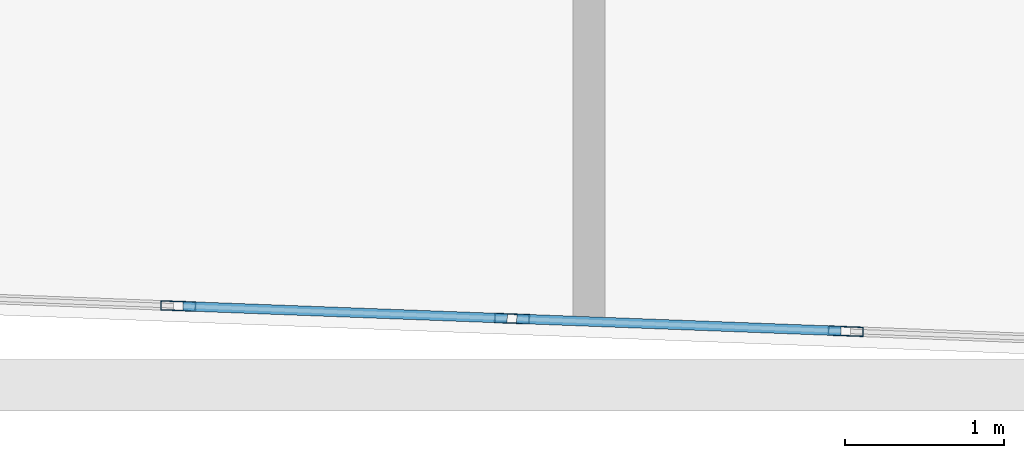
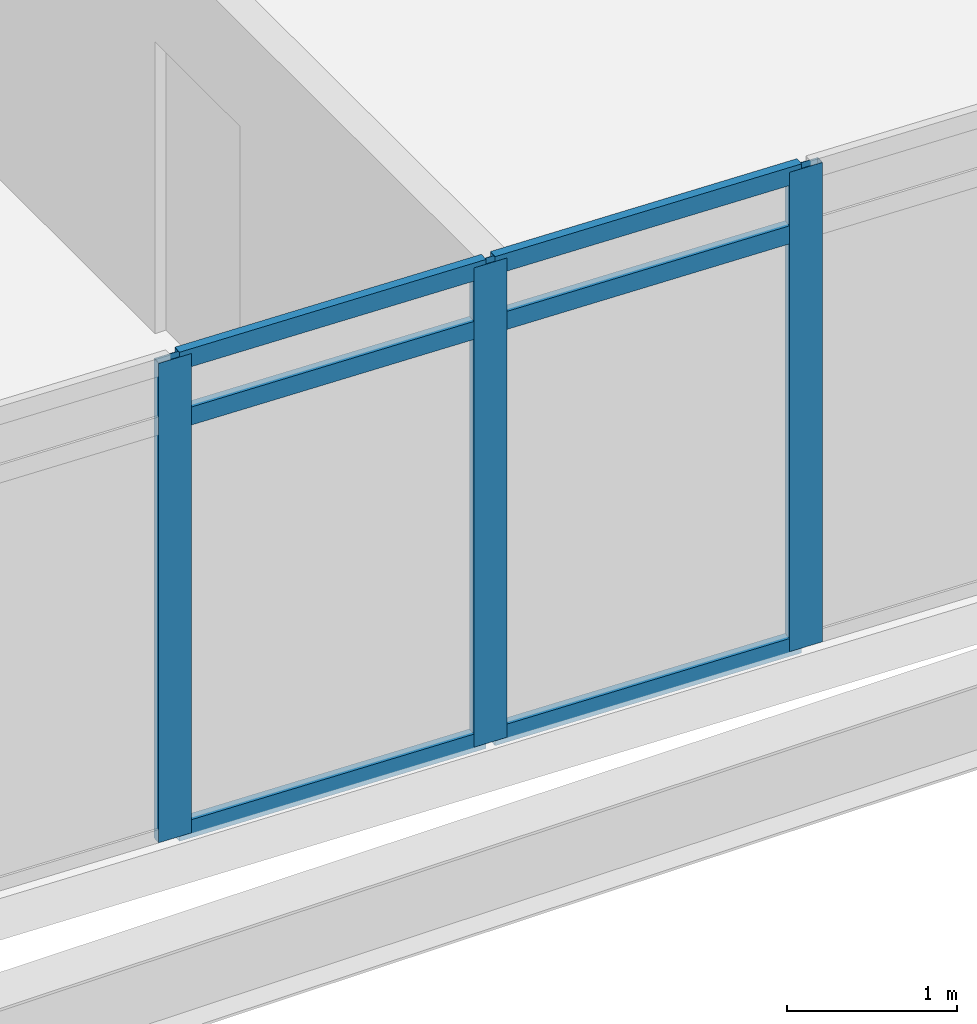
# One storey, part 4 of 25: 9 members, 1 element without a shape of its own.
"""IFC4 building model written with IfcOpenShell, lengths in metres."""

from ifc_helpers import new_model, si_unit, direction, frame, origin, origin_2d, place, context, subcontext, project, spatial, hollow_rectangle, extrude, material, material_profile, profile_set, type_object, element, aggregate, save


model = new_model("IFC4")

# Units and contexts
model_context = context("Model", 3, precision=1e-05, world=origin(), true_north=direction((0.0, 1.0)))
body_context = subcontext(model_context, "Body", "Model", "MODEL_VIEW")
ifc_project = project(units=[si_unit("LENGTHUNIT", "METRE"), si_unit("AREAUNIT", "SQUARE_METRE"), si_unit("VOLUMEUNIT", "CUBIC_METRE"), si_unit("PLANEANGLEUNIT", "RADIAN"), si_unit("MASSUNIT", "GRAM", prefix="KILO")], contexts=[model_context])

# Site, building, storey
site_placement = place(None, origin())
site = spatial("IfcSite", under=ifc_project, at=site_placement, CompositionType="ELEMENT")
building_placement = place(site_placement, origin())
building = spatial("IfcBuilding", under=site, at=building_placement, Name="Ostrander Bayou Hotel Tower", CompositionType="ELEMENT")
storey_placement = place(building_placement, frame((0.0, 0.0, 233.25)))
storey = spatial("IfcBuildingStorey", under=building, at=storey_placement, Name="L58", CompositionType="ELEMENT", Elevation=233.25)

# Curtain wall, members
ifc_material_1 = material(Name="Aluminium and clear glass", Category="aluminium")
curtain_wall_type = type_object("IfcCurtainWallType", Name="CW-BAR glazed wall", PredefinedType="NOTDEFINED", material=ifc_material_1)
curtain_wall_placement = place(storey_placement, origin())
curtain_wall = element("IfcCurtainWall", 1, at=curtain_wall_placement, inside=storey, type_object=curtain_wall_type, Name="CW-BAR L58:SB5S:T", PredefinedType="NOTDEFINED")
ifc_material_2 = material(Name="Aluminium", Category="aluminium")
ifc_material_profile_1 = material_profile(ifc_material_2, hollow_rectangle(XDim=0.06005859375, YDim=0.219970703125, WallThickness=0.00390625, at=origin_2d()))
ifc_profile_set_1 = profile_set([ifc_material_profile_1], Name="Aluminium")
member_type_1 = type_object("IfcMemberType", Name="CW-BR mullion 60 x 220 mm", PredefinedType="MULLION", material=ifc_profile_set_1)
member_1_placement = place(storey_placement, frame((0.0, -29.0, 0.0), z_axis=(0.0, 0.0, 1.0), x_axis=(0.037757725854, 0.99928692283, 0.0)))
member_1 = element("IfcMember", 2, at=member_1_placement, type_object=member_type_1, Name="CW-BAR mullion 6", PredefinedType="MULLION", context=body_context, shape_type="SweptSolid", body=[
    extrude(hollow_rectangle(XDim=0.06005859375, YDim=0.219970703125, WallThickness=0.00390625, at=origin_2d()), origin(), (0.0, 0.0, 1.0), 3.449951171875),
])
member_2_placement = place(storey_placement, frame((2.1025390625, -29.079345703125, 0.0), z_axis=(0.0, 0.0, 1.0), x_axis=(0.037757725854, 0.99928692283, 0.0)))
member_2 = element("IfcMember", 3, at=member_2_placement, type_object=member_type_1, Name="CW-BAR mullion 7", PredefinedType="MULLION", context=body_context, shape_type="SweptSolid", body=[
    extrude(hollow_rectangle(XDim=0.06005859375, YDim=0.219970703125, WallThickness=0.00390625, at=origin_2d()), origin(), (0.0, 0.0, 1.0), 3.449951171875),
])
member_3_placement = place(storey_placement, frame((4.204833984375, -29.158935546875, 0.0), z_axis=(0.0, 0.0, 1.0), x_axis=(0.037757725854, 0.99928692283, 0.0)))
member_3 = element("IfcMember", 4, at=member_3_placement, type_object=member_type_1, Name="CW-BAR mullion 8", PredefinedType="MULLION", context=body_context, shape_type="SweptSolid", body=[
    extrude(hollow_rectangle(XDim=0.06005859375, YDim=0.219970703125, WallThickness=0.00390625, at=origin_2d()), origin(), (0.0, 0.0, 1.0), 3.449951171875),
])
ifc_material_3 = material(Name="Aluminium", Category="aluminium")
ifc_material_profile_2 = material_profile(ifc_material_3, hollow_rectangle(XDim=0.06005859375, YDim=0.1298828125, WallThickness=0.00390625, at=origin_2d()))
ifc_profile_set_2 = profile_set([ifc_material_profile_2], Name="Aluminium")
member_type_2 = type_object("IfcMemberType", Name="CW-BR transom 60 x 130 mm", PredefinedType="USERDEFINED", material=ifc_profile_set_2)
member_4_placement = place(storey_placement, frame((0.030029296875, -29.001220703125, 0.030029296875), z_axis=(0.999287402917, -0.037745017849, 0.0), x_axis=(0.037745017849, 0.999287402917, 0.0)))
member_4 = element("IfcMember", 5, at=member_4_placement, type_object=member_type_2, Name="CW-BAR transom 6.1", ObjectType="TRANSOM", PredefinedType="USERDEFINED", context=body_context, shape_type="SweptSolid", body=[
    extrude(hollow_rectangle(XDim=0.06005859375, YDim=0.1298828125, WallThickness=0.00390625, at=origin_2d()), origin(), (0.0, 0.0, 1.0), 2.0439453125),
])
member_5_placement = place(storey_placement, frame((0.030029296875, -29.001220703125, 3.0), z_axis=(0.999287402917, -0.037745017849, 0.0), x_axis=(0.037745017849, 0.999287402917, 0.0)))
member_5 = element("IfcMember", 6, at=member_5_placement, type_object=member_type_2, Name="CW-BAR transom 6.2", ObjectType="TRANSOM", PredefinedType="USERDEFINED", context=body_context, shape_type="SweptSolid", body=[
    extrude(hollow_rectangle(XDim=0.06005859375, YDim=0.1298828125, WallThickness=0.00390625, at=origin_2d()), origin(), (0.0, 0.0, 1.0), 2.0439453125),
])
member_6_placement = place(storey_placement, frame((0.030029296875, -29.001220703125, 3.419921875), z_axis=(0.999287402917, -0.037745017849, 0.0), x_axis=(0.037745017849, 0.999287402917, 0.0)))
member_6 = element("IfcMember", 7, at=member_6_placement, type_object=member_type_2, Name="CW-BAR transom 6.3", ObjectType="TRANSOM", PredefinedType="USERDEFINED", context=body_context, shape_type="SweptSolid", body=[
    extrude(hollow_rectangle(XDim=0.06005859375, YDim=0.1298828125, WallThickness=0.00390625, at=origin_2d()), origin(), (0.0, 0.0, 1.0), 2.0439453125),
])
member_7_placement = place(storey_placement, frame((2.13232421875, -29.08056640625, 0.030029296875), z_axis=(0.999287402917, -0.037745017849, 0.0), x_axis=(0.037745017849, 0.999287402917, 0.0)))
member_7 = element("IfcMember", 8, at=member_7_placement, type_object=member_type_2, Name="CW-BAR transom 7.1", ObjectType="TRANSOM", PredefinedType="USERDEFINED", context=body_context, shape_type="SweptSolid", body=[
    extrude(hollow_rectangle(XDim=0.06005859375, YDim=0.1298828125, WallThickness=0.00390625, at=origin_2d()), origin(), (0.0, 0.0, 1.0), 2.0439453125),
])
member_8_placement = place(storey_placement, frame((2.13232421875, -29.08056640625, 3.0), z_axis=(0.999287402917, -0.037745017849, 0.0), x_axis=(0.037745017849, 0.999287402917, 0.0)))
member_8 = element("IfcMember", 9, at=member_8_placement, type_object=member_type_2, Name="CW-BAR transom 7.2", ObjectType="TRANSOM", PredefinedType="USERDEFINED", context=body_context, shape_type="SweptSolid", body=[
    extrude(hollow_rectangle(XDim=0.06005859375, YDim=0.1298828125, WallThickness=0.00390625, at=origin_2d()), origin(), (0.0, 0.0, 1.0), 2.0439453125),
])
member_9_placement = place(storey_placement, frame((2.13232421875, -29.08056640625, 3.419921875), z_axis=(0.999287402917, -0.037745017849, 0.0), x_axis=(0.037745017849, 0.999287402917, 0.0)))
member_9 = element("IfcMember", 10, at=member_9_placement, type_object=member_type_2, Name="CW-BAR transom 7.3", ObjectType="TRANSOM", PredefinedType="USERDEFINED", context=body_context, shape_type="SweptSolid", body=[
    extrude(hollow_rectangle(XDim=0.06005859375, YDim=0.1298828125, WallThickness=0.00390625, at=origin_2d()), origin(), (0.0, 0.0, 1.0), 2.0439453125),
])
aggregate(curtain_wall, [member_1, member_2, member_3, member_4, member_5, member_6, member_7, member_8, member_9])

save(model, "model.ifc")
